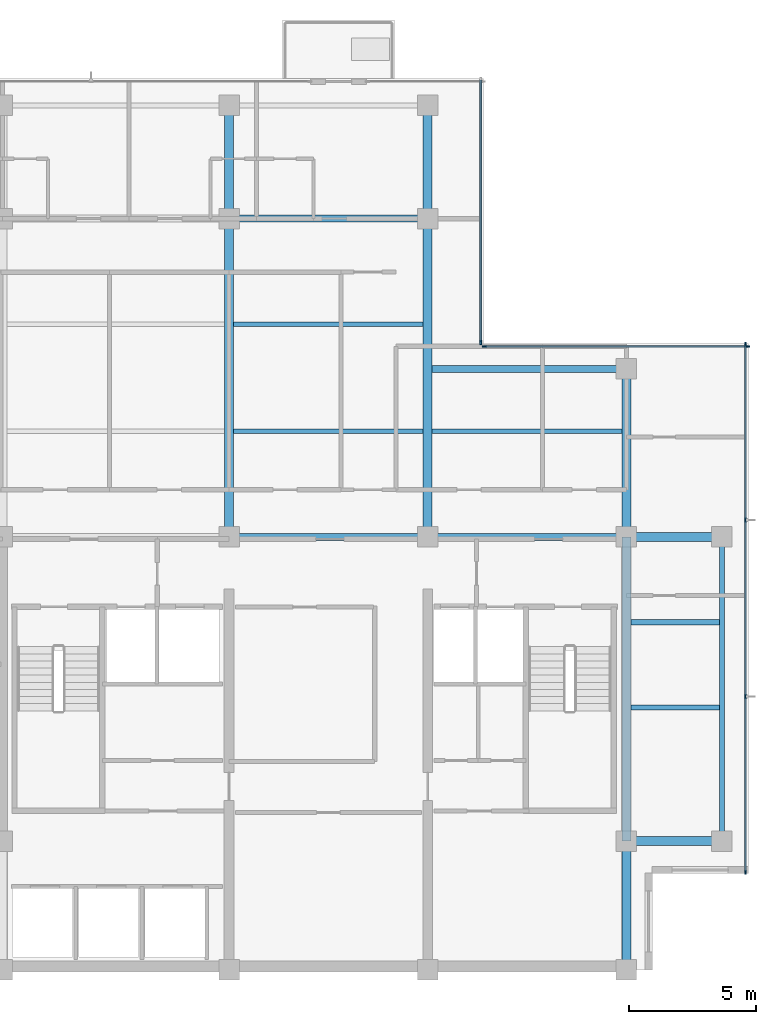
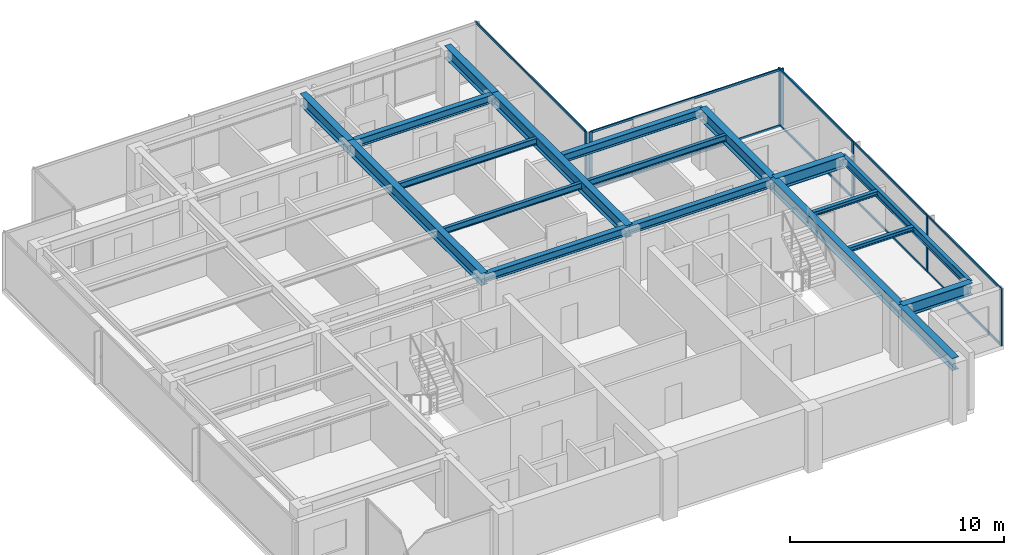
# One storey, part 3 of 11: 19 beams, 17 members, 3 elements without a shape of their own.
"""IFC4 building model written with IfcOpenShell, lengths in metres."""

from ifc_helpers import new_model, si_unit, direction, frame, origin, origin_2d, place, context, subcontext, project, spatial, rectangle, i_section, extrude, material, layer, layer_set, material_profile, profile_set, type_object, element, aggregate, save


model = new_model("IFC4")

# Units and contexts
model_context = context("Model", 3, precision=1e-05, world=origin(), true_north=direction((0.0, 1.0)))
body_context = subcontext(model_context, "Body", "Model", "MODEL_VIEW")
ifc_project = project(units=[si_unit("LENGTHUNIT", "METRE"), si_unit("AREAUNIT", "SQUARE_METRE"), si_unit("VOLUMEUNIT", "CUBIC_METRE"), si_unit("PLANEANGLEUNIT", "RADIAN"), si_unit("MASSUNIT", "GRAM", prefix="KILO")], contexts=[model_context])

# Site, building, storey
site_placement = place(None, origin())
site = spatial("IfcSite", under=ifc_project, at=site_placement, CompositionType="ELEMENT")
building_placement = place(site_placement, origin())
building = spatial("IfcBuilding", under=site, at=building_placement, Name="Qalmaran Belvedere Hotel", CompositionType="ELEMENT")
storey_placement = place(building_placement, frame((0.0, 0.0, 259.89990234375)))
storey = spatial("IfcBuildingStorey", under=building, at=storey_placement, Name="L67", CompositionType="ELEMENT", Elevation=259.89990234375)

# Beams
ifc_material_1 = material(Name="Steel S355JR", Category="steel")
ifc_material_profile_1 = material_profile(ifc_material_1, i_section(OverallWidth=0.201904296875, OverallDepth=0.2470703125, WebThickness=0.00732421875, FlangeThickness=0.010986328125, FilletRadius=0.011962890625, at=origin_2d()), Name="W250X49")
ifc_profile_set_1 = profile_set([ifc_material_profile_1], Name="Steel S355JR")
beam_type_1 = type_object("IfcBeamType", Name="BM-JST-W250X49", PredefinedType="JOIST", material=ifc_profile_set_1)
for number, where, z_axis, x_axis, name in (
    (1, (44.9755859375, 13.800048828125, 3.13671875), (1.0, 0.0, 0.0), (0.0, 1.0, 0.0), "L67 East Wing Joist 032"),
    (2, (44.9755859375, 17.14990234375, 3.13671875), (1.0, 0.0, 0.0), (0.0, 1.0, 0.0), "L67 East Wing Joist 034"),
):
    element("IfcBeam", number, at=place(storey_placement, frame(where, z_axis=z_axis, x_axis=x_axis)), inside=storey, type_object=beam_type_1, Name=name, PredefinedType="JOIST", context=body_context, shape_type="SweptSolid", body=[
        extrude(i_section(OverallWidth=0.201904296875, OverallDepth=0.2470703125, WebThickness=0.00732421875, FlangeThickness=0.010986328125, FilletRadius=0.011962890625, at=origin_2d()), origin(), (0.0, 0.0, 1.0), 3.48046875),
    ])
ifc_material_profile_2 = material_profile(ifc_material_1, i_section(OverallWidth=0.172119140625, OverallDepth=0.35791015625, WebThickness=0.0078125, FlangeThickness=0.01318359375, FilletRadius=0.014892578125, at=origin_2d()), Name="W360X57")
ifc_profile_set_2 = profile_set([ifc_material_profile_2], Name="Steel S355JR")
beam_type_2 = type_object("IfcBeamType", Name="BM-SB4-W360X57", PredefinedType="BEAM", material=ifc_profile_set_2)
for number, where, z_axis, x_axis, name in (
    (3, (29.37548828125, 24.64990234375, 3.0810546875), (1.0, 0.0, 0.0), (0.0, 1.0, 0.0), "L67 Secondary Floor Beam 026"),
    (4, (37.175537109375, 24.64990234375, 3.0810546875), (1.0, 0.0, 0.0), (0.0, 1.0, 0.0), "L67 Secondary Floor Beam 027"),
    (5, (29.37548828125, 28.85009765625, 3.0810546875), (1.0, 0.0, 0.0), (0.0, 1.0, 0.0), "L67 Secondary Floor Beam 030"),
):
    element("IfcBeam", number, at=place(storey_placement, frame(where, z_axis=z_axis, x_axis=x_axis)), inside=storey, type_object=beam_type_2, Name=name, PredefinedType="BEAM", context=body_context, shape_type="SweptSolid", body=[
        extrude(i_section(OverallWidth=0.172119140625, OverallDepth=0.35791015625, WebThickness=0.0078125, FlangeThickness=0.01318359375, FilletRadius=0.014892578125, at=origin_2d()), origin(), (0.0, 0.0, 1.0), 7.448974609375),
    ])
ifc_material_profile_3 = material_profile(ifc_material_1, i_section(OverallWidth=0.19189453125, OverallDepth=0.462890625, WebThickness=0.010498046875, FlangeThickness=0.017578125, FilletRadius=0.01611328125, at=origin_2d()), Name="W460X89")
ifc_profile_set_3 = profile_set([ifc_material_profile_3], Name="Steel S355JR")
beam_type_3 = type_object("IfcBeamType", Name="BM-SP2-W460X89", PredefinedType="SPANDREL", material=ifc_profile_set_3)
beam_1_placement = place(storey_placement, frame((48.550048828125, 8.550048828125, 3.028564453125), z_axis=(0.0, 1.0, 0.0), x_axis=(-1.0, 0.0, 0.0)))
element("IfcBeam", 6, at=beam_1_placement, inside=storey, type_object=beam_type_3, Name="L67 Perimeter Spandrel 03", PredefinedType="SPANDREL", context=body_context, shape_type="SweptSolid", body=[
    extrude(i_section(OverallWidth=0.19189453125, OverallDepth=0.462890625, WebThickness=0.010498046875, FlangeThickness=0.017578125, FilletRadius=0.01611328125, at=origin_2d()), origin(), (0.0, 0.0, 1.0), 11.949951171875),
])
ifc_material_profile_4 = material_profile(ifc_material_1, i_section(OverallWidth=0.35498046875, OverallDepth=0.695068359375, WebThickness=0.015380859375, FlangeThickness=0.02490234375, FilletRadius=0.02197265625, at=origin_2d()), Name="W690X217")
ifc_profile_set_4 = profile_set([ifc_material_profile_4], Name="Steel S355JR")
beam_type_4 = type_object("IfcBeamType", Name="BM-Z1-W690X217", PredefinedType="USERDEFINED", material=ifc_profile_set_4)
beam_2_placement = place(storey_placement, frame((29.199951171875, 20.5, 2.91259765625), z_axis=(0.0, 1.0, 0.0), x_axis=(-1.0, 0.0, 0.0)))
element("IfcBeam", 7, at=beam_2_placement, inside=storey, type_object=beam_type_4, Name="L67 Mid-Plate N-S Girder 13", ObjectType="GIRDER", PredefinedType="USERDEFINED", context=body_context, shape_type="SweptSolid", body=[
    extrude(i_section(OverallWidth=0.35498046875, OverallDepth=0.695068359375, WebThickness=0.015380859375, FlangeThickness=0.02490234375, FilletRadius=0.02197265625, at=origin_2d()), origin(), (0.0, 0.0, 1.0), 12.5),
])
beam_3_placement = place(storey_placement, frame((29.199951171875, 33.0, 2.91259765625), z_axis=(0.0, 1.0, 0.0), x_axis=(-1.0, 0.0, 0.0)))
element("IfcBeam", 8, at=beam_3_placement, inside=storey, type_object=beam_type_4, Name="L67 North Bay Girder 14", ObjectType="GIRDER", PredefinedType="USERDEFINED", context=body_context, shape_type="SweptSolid", body=[
    extrude(i_section(OverallWidth=0.35498046875, OverallDepth=0.695068359375, WebThickness=0.015380859375, FlangeThickness=0.02490234375, FilletRadius=0.02197265625, at=origin_2d()), origin(), (0.0, 0.0, 1.0), 4.449951171875),
])
beam_4_placement = place(storey_placement, frame((37.0, 20.5, 2.91259765625), z_axis=(0.0, 1.0, 0.0), x_axis=(-1.0, 0.0, 0.0)))
element("IfcBeam", 9, at=beam_4_placement, inside=storey, type_object=beam_type_4, Name="L67 Mid-Plate N-S Girder 15", ObjectType="GIRDER", PredefinedType="USERDEFINED", context=body_context, shape_type="SweptSolid", body=[
    extrude(i_section(OverallWidth=0.35498046875, OverallDepth=0.695068359375, WebThickness=0.015380859375, FlangeThickness=0.02490234375, FilletRadius=0.02197265625, at=origin_2d()), origin(), (0.0, 0.0, 1.0), 12.5),
])
beam_5_placement = place(storey_placement, frame((37.0, 33.0, 2.91259765625), z_axis=(0.0, 1.0, 0.0), x_axis=(-1.0, 0.0, 0.0)))
element("IfcBeam", 10, at=beam_5_placement, inside=storey, type_object=beam_type_4, Name="L67 North Bay Girder 16", ObjectType="GIRDER", PredefinedType="USERDEFINED", context=body_context, shape_type="SweptSolid", body=[
    extrude(i_section(OverallWidth=0.35498046875, OverallDepth=0.695068359375, WebThickness=0.015380859375, FlangeThickness=0.02490234375, FilletRadius=0.02197265625, at=origin_2d()), origin(), (0.0, 0.0, 1.0), 4.449951171875),
])
beam_6_placement = place(storey_placement, frame((44.800048828125, 20.5, 2.91259765625), z_axis=(0.0, 1.0, 0.0), x_axis=(-1.0, 0.0, 0.0)))
element("IfcBeam", 11, at=beam_6_placement, inside=storey, type_object=beam_type_4, Name="L67 Mid-Plate N-S Girder 17", ObjectType="GIRDER", PredefinedType="USERDEFINED", context=body_context, shape_type="SweptSolid", body=[
    extrude(i_section(OverallWidth=0.35498046875, OverallDepth=0.695068359375, WebThickness=0.015380859375, FlangeThickness=0.02490234375, FilletRadius=0.02197265625, at=origin_2d()), origin(), (0.0, 0.0, 1.0), 6.60009765625),
])
beam_7_placement = place(storey_placement, frame((44.800048828125, 3.5, 2.91259765625), z_axis=(0.0, 1.0, 0.0), x_axis=(-1.0, 0.0, 0.0)))
element("IfcBeam", 12, at=beam_7_placement, inside=storey, type_object=beam_type_4, Name="L67 East Core Edge Girder A", ObjectType="GIRDER", PredefinedType="USERDEFINED", context=body_context, shape_type="SweptSolid", body=[
    extrude(i_section(OverallWidth=0.35498046875, OverallDepth=0.695068359375, WebThickness=0.015380859375, FlangeThickness=0.02490234375, FilletRadius=0.02197265625, at=origin_2d()), origin(), (0.0, 0.0, 1.0), 5.050048828125),
])
beam_8_placement = place(storey_placement, frame((44.800048828125, 8.550048828125, 2.91259765625), z_axis=(0.0, 1.0, 0.0), x_axis=(-1.0, 0.0, 0.0)))
element("IfcBeam", 13, at=beam_8_placement, inside=storey, type_object=beam_type_4, Name="L67 East Core Edge Girder B", ObjectType="GIRDER", PredefinedType="USERDEFINED", context=body_context, shape_type="SweptSolid", body=[
    extrude(i_section(OverallWidth=0.35498046875, OverallDepth=0.695068359375, WebThickness=0.015380859375, FlangeThickness=0.02490234375, FilletRadius=0.02197265625, at=origin_2d()), origin(), (0.0, 0.0, 1.0), 11.949951171875),
])
for number, where, z_axis, x_axis, name in (
    (14, (44.800048828125, 8.550048828125, 2.91259765625), (1.0, 0.0, 0.0), (0.0, 1.0, 0.0), "L67 East Wing Girder 22"),
    (15, (44.800048828125, 20.5, 2.91259765625), (1.0, 0.0, 0.0), (0.0, 1.0, 0.0), "L67 East Wing Girder 23"),
):
    element("IfcBeam", number, at=place(storey_placement, frame(where, z_axis=z_axis, x_axis=x_axis)), inside=storey, type_object=beam_type_4, Name=name, ObjectType="GIRDER", PredefinedType="USERDEFINED", context=body_context, shape_type="SweptSolid", body=[
        extrude(i_section(OverallWidth=0.35498046875, OverallDepth=0.695068359375, WebThickness=0.015380859375, FlangeThickness=0.02490234375, FilletRadius=0.02197265625, at=origin_2d()), origin(), (0.0, 0.0, 1.0), 3.75),
    ])
ifc_material_profile_5 = material_profile(ifc_material_1, i_section(OverallWidth=0.280029296875, OverallDepth=0.462890625, WebThickness=0.0107421875, FlangeThickness=0.017333984375, FilletRadius=0.01611328125, at=origin_2d()), Name="W460X113")
ifc_profile_set_5 = profile_set([ifc_material_profile_5], Name="Steel S355JR")
beam_type_5 = type_object("IfcBeamType", Name="BM-Z5-W460X113", PredefinedType="USERDEFINED", material=ifc_profile_set_5)
for number, where, z_axis, x_axis, name in (
    (16, (29.199951171875, 20.5, 3.028564453125), (1.0, 0.0, 0.0), (0.0, 1.0, 0.0), "L67 Interior E-W Girder 07"),
    (17, (37.0, 20.5, 3.028564453125), (1.0, 0.0, 0.0), (0.0, 1.0, 0.0), "L67 Interior E-W Girder 08"),
    (18, (29.199951171875, 33.0, 3.028564453125), (1.0, 0.0, 0.0), (0.0, 1.0, 0.0), "L67 Interior E-W Girder 10"),
):
    element("IfcBeam", number, at=place(storey_placement, frame(where, z_axis=z_axis, x_axis=x_axis)), inside=storey, type_object=beam_type_5, Name=name, ObjectType="GIRDER", PredefinedType="USERDEFINED", context=body_context, shape_type="SweptSolid", body=[
        extrude(i_section(OverallWidth=0.280029296875, OverallDepth=0.462890625, WebThickness=0.0107421875, FlangeThickness=0.017333984375, FilletRadius=0.01611328125, at=origin_2d()), origin(), (0.0, 0.0, 1.0), 7.800048828125),
    ])
beam_9_placement = place(storey_placement, frame((37.175537109375, 27.10009765625, 3.028564453125), z_axis=(1.0, 0.0, 0.0), x_axis=(0.0, 1.0, 0.0)))
element("IfcBeam", 19, at=beam_9_placement, inside=storey, type_object=beam_type_5, Name="L67 North-East Notch Rim Girder", ObjectType="GIRDER", PredefinedType="USERDEFINED", context=body_context, shape_type="SweptSolid", body=[
    extrude(i_section(OverallWidth=0.280029296875, OverallDepth=0.462890625, WebThickness=0.0107421875, FlangeThickness=0.017333984375, FilletRadius=0.01611328125, at=origin_2d()), origin(), (0.0, 0.0, 1.0), 7.62451171875),
])

# Curtain wall, members
ifc_material_2 = material(Name="Anodised Bronze Aluminium", Category="aluminium")
ifc_layer = layer(ifc_material_2, 0.18505859375, Name="Anodised Bronze Aluminium")
ifc_layer_set = layer_set([ifc_layer], Name="Anodised Bronze Aluminium")
curtain_wall_type = type_object("IfcCurtainWallType", Name="CW6-TOWER-SKY", PredefinedType="NOTDEFINED", material=ifc_layer_set)
curtain_wall_1_placement = place(storey_placement, origin())
curtain_wall_1 = element("IfcCurtainWall", 20, at=curtain_wall_1_placement, inside=storey, type_object=curtain_wall_type, Name="L67 Curtain Wall CW6", PredefinedType="NOTDEFINED")
ifc_material_profile_6 = material_profile(ifc_material_2, rectangle(XDim=0.06494140625, YDim=0.1650390625, at=origin_2d()), Name="CWM65X165")
ifc_profile_set_6 = profile_set([ifc_material_profile_6], Name="Anodised Bronze Aluminium")
member_type_1 = type_object("IfcMemberType", Name="CWM-65X165", PredefinedType="MULLION", material=ifc_profile_set_6)
member_1_placement = place(storey_placement, frame((49.47998046875, 7.33251953125, 0.0), z_axis=(0.0, 0.0, 1.0), x_axis=(-1.0, 0.0, 0.0)))
member_1 = element("IfcMember", 21, at=member_1_placement, type_object=member_type_1, Name="CW6 mullion 1", PredefinedType="MULLION", context=body_context, shape_type="SweptSolid", body=[
    extrude(rectangle(XDim=0.06494140625, YDim=0.1650390625, at=origin_2d()), origin(), (0.0, 0.0, 1.0), 3.260009765625),
])
member_2_placement = place(storey_placement, frame((49.47998046875, 14.2333984375, 0.0), z_axis=(0.0, 0.0, 1.0), x_axis=(-1.0, 0.0, 0.0)))
member_2 = element("IfcMember", 22, at=member_2_placement, type_object=member_type_1, Name="CW6 mullion 2", PredefinedType="MULLION", context=body_context, shape_type="SweptSolid", body=[
    extrude(rectangle(XDim=0.06494140625, YDim=0.1650390625, at=origin_2d()), origin(), (0.0, 0.0, 1.0), 3.260009765625),
])
member_3_placement = place(storey_placement, frame((49.47998046875, 21.166748046875, 0.0), z_axis=(0.0, 0.0, 1.0), x_axis=(-1.0, 0.0, 0.0)))
member_3 = element("IfcMember", 23, at=member_3_placement, type_object=member_type_1, Name="CW6 mullion 3", PredefinedType="MULLION", context=body_context, shape_type="SweptSolid", body=[
    extrude(rectangle(XDim=0.06494140625, YDim=0.1650390625, at=origin_2d()), origin(), (0.0, 0.0, 1.0), 3.260009765625),
])
member_4_placement = place(storey_placement, frame((49.47998046875, 28.0673828125, 0.0), z_axis=(0.0, 0.0, 1.0), x_axis=(-1.0, 0.0, 0.0)))
member_4 = element("IfcMember", 24, at=member_4_placement, type_object=member_type_1, Name="CW6 mullion 4", PredefinedType="MULLION", context=body_context, shape_type="SweptSolid", body=[
    extrude(rectangle(XDim=0.06494140625, YDim=0.1650390625, at=origin_2d()), origin(), (0.0, 0.0, 1.0), 3.260009765625),
])

curtain_wall_2_placement = place(storey_placement, origin())
curtain_wall_2 = element("IfcCurtainWall", 25, at=curtain_wall_2_placement, inside=storey, type_object=curtain_wall_type, Name="L67 Curtain Wall CW6", PredefinedType="NOTDEFINED")
member_5_placement = place(storey_placement, frame((49.5673828125, 27.97998046875, 0.0), z_axis=(0.0, 0.0, 1.0), x_axis=(0.0, -1.0, 0.0)))
member_5 = element("IfcMember", 26, at=member_5_placement, type_object=member_type_1, Name="CW6 mullion 1", PredefinedType="MULLION", context=body_context, shape_type="SweptSolid", body=[
    extrude(rectangle(XDim=0.06494140625, YDim=0.1650390625, at=origin_2d()), origin(), (0.0, 0.0, 1.0), 3.260009765625),
])
member_6_placement = place(storey_placement, frame((39.232421875, 27.97998046875, 0.0), z_axis=(0.0, 0.0, 1.0), x_axis=(0.0, -1.0, 0.0)))
member_6 = element("IfcMember", 27, at=member_6_placement, type_object=member_type_1, Name="CW6 mullion 2", PredefinedType="MULLION", context=body_context, shape_type="SweptSolid", body=[
    extrude(rectangle(XDim=0.06494140625, YDim=0.1650390625, at=origin_2d()), origin(), (0.0, 0.0, 1.0), 3.260009765625),
])

# Curtain wall, member
curtain_wall_3_placement = place(storey_placement, origin())
curtain_wall_3 = element("IfcCurtainWall", 28, at=curtain_wall_3_placement, inside=storey, type_object=curtain_wall_type, Name="L67 Curtain Wall CW6", PredefinedType="NOTDEFINED")
member_7_placement = place(storey_placement, frame((39.080078125, 28.132568359375, 0.0), z_axis=(0.0, 0.0, 1.0), x_axis=(-1.0, 0.0, 0.0)))
member_7 = element("IfcMember", 29, at=member_7_placement, type_object=member_type_1, Name="CW6 mullion 1", PredefinedType="MULLION", context=body_context, shape_type="SweptSolid", body=[
    extrude(rectangle(XDim=0.06494140625, YDim=0.1650390625, at=origin_2d()), origin(), (0.0, 0.0, 1.0), 3.260009765625),
])

# Member
ifc_material_profile_7 = material_profile(ifc_material_2, rectangle(XDim=0.06494140625, YDim=0.1298828125, at=origin_2d()), Name="CWT65X130")
ifc_profile_set_7 = profile_set([ifc_material_profile_7], Name="Anodised Bronze Aluminium")
member_type_2 = type_object("IfcMemberType", Name="CWT-65X130", PredefinedType="USERDEFINED", material=ifc_profile_set_7)
member_8_placement = place(storey_placement, frame((49.47998046875, 7.364990234375, 0.03271484375), z_axis=(0.0, 1.0, 0.0), x_axis=(-1.0, 0.0, 0.0)))
member_8 = element("IfcMember", 30, at=member_8_placement, type_object=member_type_2, Name="CW6 transom 1.1", ObjectType="TRANSOM", PredefinedType="USERDEFINED", context=body_context, shape_type="SweptSolid", body=[
    extrude(rectangle(XDim=0.06494140625, YDim=0.1298828125, at=origin_2d()), origin(), (0.0, 0.0, 1.0), 6.8359375),
])

member_9_placement = place(storey_placement, frame((49.47998046875, 7.364990234375, 3.2275390625), z_axis=(0.0, 1.0, 0.0), x_axis=(-1.0, 0.0, 0.0)))
member_9 = element("IfcMember", 31, at=member_9_placement, type_object=member_type_2, Name="CW6 transom 1.2", ObjectType="TRANSOM", PredefinedType="USERDEFINED", context=body_context, shape_type="SweptSolid", body=[
    extrude(rectangle(XDim=0.06494140625, YDim=0.1298828125, at=origin_2d()), origin(), (0.0, 0.0, 1.0), 6.8359375),
])

member_10_placement = place(storey_placement, frame((49.47998046875, 14.265869140625, 0.03271484375), z_axis=(0.0, 1.0, 0.0), x_axis=(-1.0, 0.0, 0.0)))
member_10 = element("IfcMember", 32, at=member_10_placement, type_object=member_type_2, Name="CW6 transom 2.1", ObjectType="TRANSOM", PredefinedType="USERDEFINED", context=body_context, shape_type="SweptSolid", body=[
    extrude(rectangle(XDim=0.06494140625, YDim=0.1298828125, at=origin_2d()), origin(), (0.0, 0.0, 1.0), 6.868408203125),
])

member_11_placement = place(storey_placement, frame((49.47998046875, 14.265869140625, 3.2275390625), z_axis=(0.0, 1.0, 0.0), x_axis=(-1.0, 0.0, 0.0)))
member_11 = element("IfcMember", 33, at=member_11_placement, type_object=member_type_2, Name="CW6 transom 2.2", ObjectType="TRANSOM", PredefinedType="USERDEFINED", context=body_context, shape_type="SweptSolid", body=[
    extrude(rectangle(XDim=0.06494140625, YDim=0.1298828125, at=origin_2d()), origin(), (0.0, 0.0, 1.0), 6.868408203125),
])

member_12_placement = place(storey_placement, frame((49.47998046875, 21.19921875, 0.03271484375), z_axis=(0.0, 1.0, 0.0), x_axis=(-1.0, 0.0, 0.0)))
member_12 = element("IfcMember", 34, at=member_12_placement, type_object=member_type_2, Name="CW6 transom 3.1", ObjectType="TRANSOM", PredefinedType="USERDEFINED", context=body_context, shape_type="SweptSolid", body=[
    extrude(rectangle(XDim=0.06494140625, YDim=0.1298828125, at=origin_2d()), origin(), (0.0, 0.0, 1.0), 6.835693359375),
])

member_13_placement = place(storey_placement, frame((49.47998046875, 21.19921875, 3.2275390625), z_axis=(0.0, 1.0, 0.0), x_axis=(-1.0, 0.0, 0.0)))
member_13 = element("IfcMember", 35, at=member_13_placement, type_object=member_type_2, Name="CW6 transom 3.2", ObjectType="TRANSOM", PredefinedType="USERDEFINED", context=body_context, shape_type="SweptSolid", body=[
    extrude(rectangle(XDim=0.06494140625, YDim=0.1298828125, at=origin_2d()), origin(), (0.0, 0.0, 1.0), 6.835693359375),
])

aggregate(curtain_wall_1, [member_1, member_2, member_3, member_4, member_8, member_9, member_10, member_11, member_12, member_13])

member_14_placement = place(storey_placement, frame((49.534912109375, 27.97998046875, 0.03271484375), z_axis=(-1.0, 0.0, 0.0), x_axis=(0.0, -1.0, 0.0)))
member_14 = element("IfcMember", 36, at=member_14_placement, type_object=member_type_2, Name="CW6 transom 1.1", ObjectType="TRANSOM", PredefinedType="USERDEFINED", context=body_context, shape_type="SweptSolid", body=[
    extrude(rectangle(XDim=0.06494140625, YDim=0.1298828125, at=origin_2d()), origin(), (0.0, 0.0, 1.0), 10.27001953125),
])

member_15_placement = place(storey_placement, frame((49.534912109375, 27.97998046875, 3.2275390625), z_axis=(-1.0, 0.0, 0.0), x_axis=(0.0, -1.0, 0.0)))
member_15 = element("IfcMember", 37, at=member_15_placement, type_object=member_type_2, Name="CW6 transom 1.2", ObjectType="TRANSOM", PredefinedType="USERDEFINED", context=body_context, shape_type="SweptSolid", body=[
    extrude(rectangle(XDim=0.06494140625, YDim=0.1298828125, at=origin_2d()), origin(), (0.0, 0.0, 1.0), 10.27001953125),
])

aggregate(curtain_wall_2, [member_5, member_6, member_14, member_15])

member_16_placement = place(storey_placement, frame((39.080078125, 28.1650390625, 0.03271484375), z_axis=(0.0, 1.0, 0.0), x_axis=(-1.0, 0.0, 0.0)))
member_16 = element("IfcMember", 38, at=member_16_placement, type_object=member_type_2, Name="CW6 transom 1.1", ObjectType="TRANSOM", PredefinedType="USERDEFINED", context=body_context, shape_type="SweptSolid", body=[
    extrude(rectangle(XDim=0.06494140625, YDim=0.1298828125, at=origin_2d()), origin(), (0.0, 0.0, 1.0), 10.27001953125),
])

member_17_placement = place(storey_placement, frame((39.080078125, 28.1650390625, 3.2275390625), z_axis=(0.0, 1.0, 0.0), x_axis=(-1.0, 0.0, 0.0)))
member_17 = element("IfcMember", 39, at=member_17_placement, type_object=member_type_2, Name="CW6 transom 1.2", ObjectType="TRANSOM", PredefinedType="USERDEFINED", context=body_context, shape_type="SweptSolid", body=[
    extrude(rectangle(XDim=0.06494140625, YDim=0.1298828125, at=origin_2d()), origin(), (0.0, 0.0, 1.0), 10.27001953125),
])

aggregate(curtain_wall_3, [member_7, member_16, member_17])

save(model, "model.ifc")
